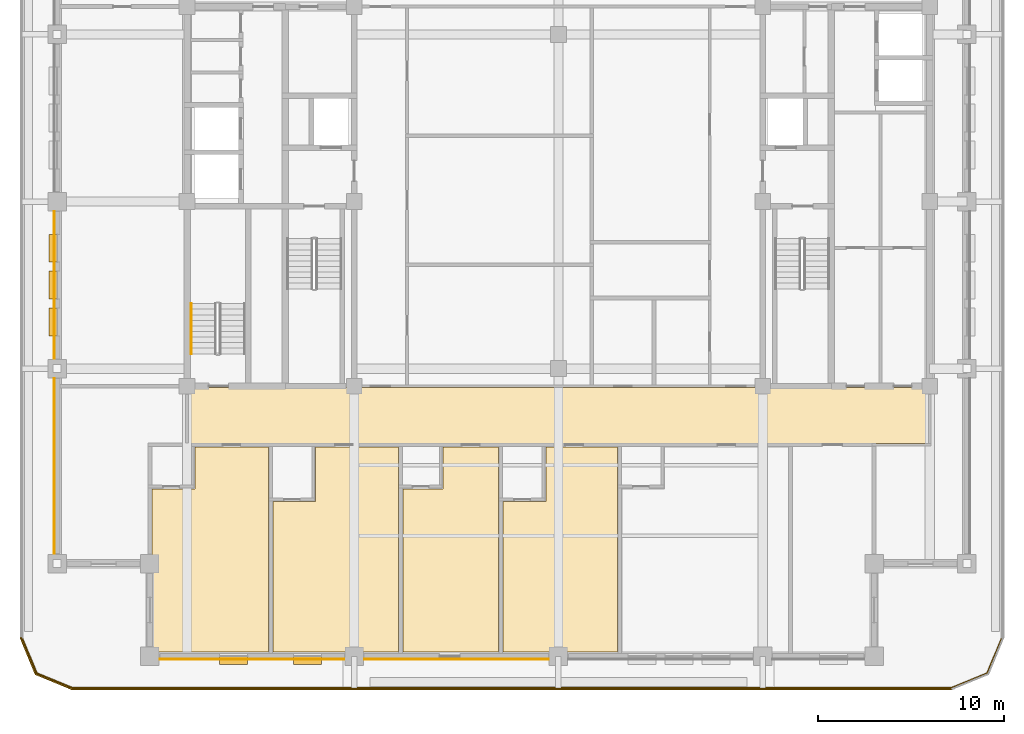
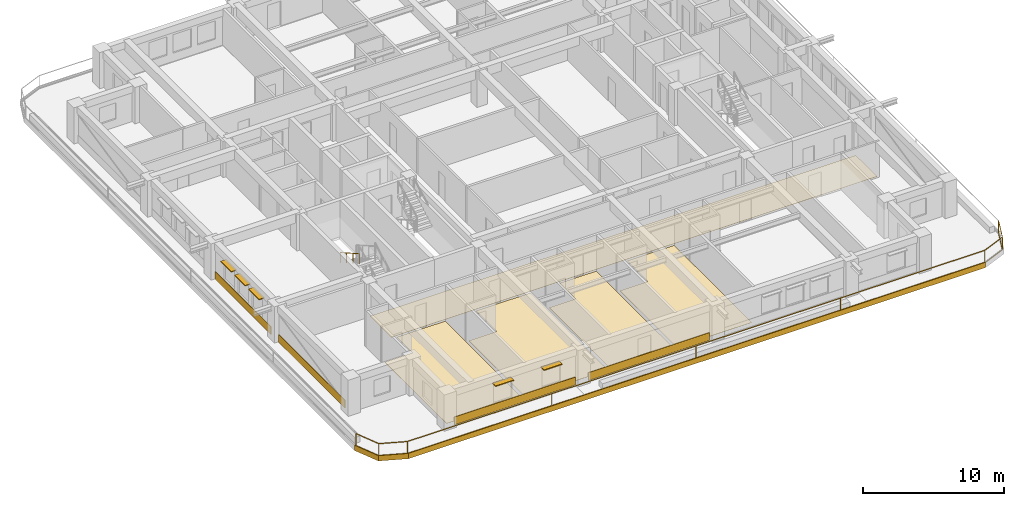
# One storey, part 9 of 15: 12 coverings, 5 shading devices, 2 railings.
"""IFC4 building model written with IfcOpenShell, lengths in metres."""

from ifc_helpers import new_model, si_unit, direction, frame, frame_2d, origin, origin_2d, place, context, subcontext, project, spatial, polyline, rectangle, outline, extrude, material, layer, layer_set, type_object, element, save


model = new_model("IFC4")

# Units and contexts
model_context = context("Model", 3, precision=1e-05, world=origin(), true_north=direction((0.0, 1.0)))
body_context = subcontext(model_context, "Body", "Model", "MODEL_VIEW")
ifc_project = project(units=[si_unit("LENGTHUNIT", "METRE"), si_unit("AREAUNIT", "SQUARE_METRE"), si_unit("VOLUMEUNIT", "CUBIC_METRE"), si_unit("PLANEANGLEUNIT", "RADIAN"), si_unit("MASSUNIT", "GRAM", prefix="KILO")], contexts=[model_context])

# Site, building, storey
site_placement = place(None, origin())
site = spatial("IfcSite", under=ifc_project, at=site_placement, CompositionType="ELEMENT")
building_placement = place(site_placement, origin())
building = spatial("IfcBuilding", under=site, at=building_placement, Name="Zulmaris Gate Convention Tower", CompositionType="ELEMENT")
storey_placement = place(building_placement, frame((0.0, 0.0, 201.659912109375)))
storey = spatial("IfcBuildingStorey", under=building, at=storey_placement, Name="L52", CompositionType="ELEMENT", Elevation=201.659912109375)

# Coverings
ifc_material_1 = material(Name="Precast concrete C40/50", Category="concrete")
ifc_layer_1 = layer(ifc_material_1, 0.0400390625, Name="Precast concrete C40/50")
ifc_layer_set_1 = layer_set([ifc_layer_1], Name="Precast concrete C40/50")
covering_type_1 = type_object("IfcCoveringType", Name="CLAD-SPANDREL-PRECAST", PredefinedType="CLADDING", material=ifc_layer_set_1)
for number, where, z_axis, x_axis, name in (
    (1, (-21.469970703125, -24.64990234375, 0.0), (0.0, 0.0, 1.0), (1.0, 0.0, 0.0), "CLD-L52-S-0_0"),
    (2, (-10.469970703125, -24.64990234375, 0.0), (0.0, 0.0, 1.0), (1.0, 0.0, 0.0), "CLD-L52-S-1_0"),
):
    element("IfcCovering", number, at=place(storey_placement, frame(where, z_axis=z_axis, x_axis=x_axis)), inside=storey, type_object=covering_type_1, Name=name, PredefinedType="CLADDING", context=body_context, shape_type="SweptSolid", body=[
        extrude(rectangle(XDim=9.93994140625, YDim=0.0400390625, at=frame_2d((4.969970703125, 0.0))), origin(), (0.0, 0.0, 1.0), 0.679931640625),
    ])
covering_1_placement = place(storey_placement, frame((-27.14990234375, -9.530029296875, 0.0), z_axis=(0.0, 0.0, 1.0), x_axis=(0.0, -1.0, 0.0)))
element("IfcCovering", 3, at=covering_1_placement, inside=storey, type_object=covering_type_1, Name="CLD-L52-W-0_0", PredefinedType="CLADDING", context=body_context, shape_type="SweptSolid", body=[
    extrude(rectangle(XDim=9.43994140625, YDim=0.0400390625, at=frame_2d((4.719970703125, 0.0))), origin(), (0.0, 0.0, 1.0), 0.679931640625),
])
covering_2_placement = place(storey_placement, frame((-27.14990234375, -0.530029296875, 0.0), z_axis=(0.0, 0.0, 1.0), x_axis=(0.0, -1.0, 0.0)))
element("IfcCovering", 4, at=covering_2_placement, inside=storey, type_object=covering_type_1, Name="CLD-L52-W-1_0", PredefinedType="CLADDING", context=body_context, shape_type="SweptSolid", body=[
    extrude(rectangle(XDim=7.93994140625, YDim=0.0400390625, at=frame_2d((3.969970703125, 0.0))), origin(), (0.0, 0.0, 1.0), 0.679931640625),
])
ifc_material_2 = material(Name="White Glazed Architectural Precast Concrete C40/50", Category="concrete")
ifc_layer_2 = layer(ifc_material_2, 0.080078125, Name="White Glazed Architectural Precast Concrete C40/50")
ifc_layer_set_2 = layer_set([ifc_layer_2], Name="White Glazed Architectural Precast Concrete C40/50")
covering_type_2 = type_object("IfcCoveringType", Name="CLAD-TRAY-FASCIA", PredefinedType="CLADDING", material=ifc_layer_set_2)
covering_3_placement = place(storey_placement, frame((-28.962890625, -23.484619140625, -0.2900390625), z_axis=(0.0, 0.0, 1.0), x_axis=(0.382656984709, -0.923890487046, 0.0)))
element("IfcCovering", 5, at=covering_3_placement, inside=storey, type_object=covering_type_2, Name="FSC-L52-TR-00", PredefinedType="CLADDING", context=body_context, shape_type="SweptSolid", body=[
    extrude(rectangle(XDim=2.14306640625, YDim=0.080078125, at=frame_2d((1.071533203125, 0.0))), origin(), (0.0, 0.0, 1.0), 0.4599609375),
])
covering_4_placement = place(storey_placement, frame((-28.16455078125, -25.44287109375, -0.2900390625), z_axis=(0.0, 0.0, 1.0), x_axis=(0.923873803533, -0.382697263049, 0.0)))
element("IfcCovering", 6, at=covering_4_placement, inside=storey, type_object=covering_type_2, Name="FSC-L52-TR-01", PredefinedType="CLADDING", context=body_context, shape_type="SweptSolid", body=[
    extrude(rectangle(XDim=2.142822265625, YDim=0.080078125, at=frame_2d((1.0712890625, 0.0))), origin(), (0.0, 0.0, 1.0), 0.4599609375),
])
covering_5_placement = place(storey_placement, frame((-26.199951171875, -26.260009765625, -0.2900390625), z_axis=(0.0, 0.0, 1.0), x_axis=(1.0, 0.0, 0.0)))
element("IfcCovering", 7, at=covering_5_placement, inside=storey, type_object=covering_type_2, Name="FSC-L52-TR-02", PredefinedType="CLADDING", context=body_context, shape_type="SweptSolid", body=[
    extrude(rectangle(XDim=47.39990234375, YDim=0.080078125, at=frame_2d((23.699951171875, 0.0))), origin(), (0.0, 0.0, 1.0), 0.4599609375),
])
ifc_material_3 = material(Name="Woven Acoustic Wool Carpet Tile")
ifc_layer_3 = layer(ifc_material_3, 0.02001953125, Name="Woven Acoustic Wool Carpet Tile")
ifc_layer_set_3 = layer_set([ifc_layer_3], Name="Woven Acoustic Wool Carpet Tile")
covering_type_3 = type_object("IfcCoveringType", Name="FLR-CARPET-12", PredefinedType="FLOORING", material=ifc_layer_set_3)
covering_6_placement = place(storey_placement, origin())
element("IfcCovering", 8, at=covering_6_placement, inside=storey, type_object=covering_type_3, Name="FLR-L52-R32", PredefinedType="FLOORING", context=body_context, shape_type="SweptSolid", body=[
    extrude(outline(polyline([(-19.93994140625, -13.0400390625), (19.93994140625, -13.0400390625), (19.93994140625, -10.010009765625), (-19.93994140625, -10.010009765625), (-19.93994140625, -13.0400390625)])), origin(), (0.0, 0.0, 1.0), 0.02001953125),
])
ifc_material_4 = material(Name="Engineered Teak Parquet Flooring")
ifc_layer_4 = layer(ifc_material_4, 0.02001953125, Name="Engineered Teak Parquet Flooring")
ifc_layer_set_4 = layer_set([ifc_layer_4], Name="Engineered Teak Parquet Flooring")
covering_type_4 = type_object("IfcCoveringType", Name="FLR-TIMBER-18", PredefinedType="FLOORING", material=ifc_layer_set_4)
covering_7_placement = place(storey_placement, origin())
element("IfcCovering", 9, at=covering_7_placement, inside=storey, type_object=covering_type_4, Name="FLR-L52-R44", PredefinedType="FLOORING", context=body_context, shape_type="SweptSolid", body=[
    extrude(outline(polyline([(-21.8798828125, -24.260009765625), (-15.6201171875, -24.260009765625), (-15.6201171875, -13.219970703125), (-19.580078125, -13.219970703125), (-19.580078125, -15.469970703125), (-21.8798828125, -15.469970703125), (-21.8798828125, -24.260009765625)])), origin(), (0.0, 0.0, 1.0), 0.02001953125),
])
covering_8_placement = place(storey_placement, origin())
element("IfcCovering", 10, at=covering_8_placement, inside=storey, type_object=covering_type_4, Name="FLR-L52-R46", PredefinedType="FLOORING", context=body_context, shape_type="SweptSolid", body=[
    extrude(outline(polyline([(-15.3798828125, -24.260009765625), (-8.6201171875, -24.260009765625), (-8.6201171875, -13.219970703125), (-13.080078125, -13.219970703125), (-13.080078125, -16.169921875), (-15.3798828125, -16.169921875), (-15.3798828125, -24.260009765625)])), origin(), (0.0, 0.0, 1.0), 0.02001953125),
])
covering_9_placement = place(storey_placement, origin())
element("IfcCovering", 11, at=covering_9_placement, inside=storey, type_object=covering_type_4, Name="FLR-L52-R48", PredefinedType="FLOORING", context=body_context, shape_type="SweptSolid", body=[
    extrude(outline(polyline([(-8.3798828125, -24.260009765625), (-3.219970703125, -24.260009765625), (-3.219970703125, -13.219970703125), (-6.219970703125, -13.219970703125), (-6.219970703125, -15.469970703125), (-8.3798828125, -15.469970703125), (-8.3798828125, -24.260009765625)])), origin(), (0.0, 0.0, 1.0), 0.02001953125),
])
covering_10_placement = place(storey_placement, origin())
element("IfcCovering", 12, at=covering_10_placement, inside=storey, type_object=covering_type_4, Name="FLR-L52-R50", PredefinedType="FLOORING", context=body_context, shape_type="SweptSolid", body=[
    extrude(outline(polyline([(-2.97998046875, -24.260009765625), (3.179931640625, -24.260009765625), (3.179931640625, -13.219970703125), (-0.679931640625, -13.219970703125), (-0.679931640625, -16.169921875), (-2.97998046875, -16.169921875), (-2.97998046875, -24.260009765625)])), origin(), (0.0, 0.0, 1.0), 0.02001953125),
])

# Railings
ifc_material_5 = material(Name="Laminated Glass and Stainless Steel", Category="steel")
railing_type_1 = type_object("IfcRailingType", Name="RL-BALC-1150", PredefinedType="BALUSTRADE", material=ifc_material_5)
railing_1_placement = place(storey_placement, frame((-28.8798828125, -23.5, 0.010009765625)))
element("IfcRailing", 13, at=railing_1_placement, inside=storey, type_object=railing_type_1, Name="RL-L52-BALC-S", PredefinedType="BALUSTRADE", context=body_context, shape_type="SweptSolid", body=[
    extrude(rectangle(XDim=0.048095703125, YDim=0.048095703125, at=origin_2d()), frame((0.0, 0.0, 1.1259765625), z_axis=(0.382670664694, -0.92388482095, 0.0), x_axis=(0.92388482095, 0.382670664694, 0.0)), (0.0, 0.0, 1.0), 2.051025390625),
    extrude(rectangle(XDim=0.048095703125, YDim=0.048095703125, at=origin_2d()), frame((0.0, 0.0, 0.02392578125), z_axis=(0.382670664694, -0.92388482095, 0.0), x_axis=(0.92388482095, 0.382670664694, 0.0)), (0.0, 0.0, 1.0), 2.051025390625),
    extrude(rectangle(XDim=0.048095703125, YDim=0.048095703125, at=origin_2d()), frame((0.784912109375, -1.89501953125, 1.1259765625), z_axis=(0.92388482095, -0.382670664694, 0.0), x_axis=(0.382670664694, 0.92388482095, 0.0)), (0.0, 0.0, 1.0), 2.051025390625),
    extrude(rectangle(XDim=0.048095703125, YDim=0.048095703125, at=origin_2d()), frame((0.784912109375, -1.89501953125, 0.02392578125), z_axis=(0.92388482095, -0.382670664694, 0.0), x_axis=(0.382670664694, 0.92388482095, 0.0)), (0.0, 0.0, 1.0), 2.051025390625),
    extrude(rectangle(XDim=0.048095703125, YDim=0.048095703125, at=origin_2d()), frame((2.679931640625, -2.679931640625, 1.1259765625), z_axis=(1.0, 0.0, 0.0), x_axis=(0.0, 1.0, 0.0)), (0.0, 0.0, 1.0), 47.39990234375),
    extrude(rectangle(XDim=0.048095703125, YDim=0.048095703125, at=origin_2d()), frame((2.679931640625, -2.679931640625, 0.02392578125), z_axis=(1.0, 0.0, 0.0), x_axis=(0.0, 1.0, 0.0)), (0.0, 0.0, 1.0), 47.39990234375),
    extrude(rectangle(XDim=0.048095703125, YDim=0.048095703125, at=origin_2d()), frame((50.079833984375, -2.679931640625, 1.1259765625), z_axis=(0.92388482095, 0.382670664694, 0.0), x_axis=(-0.382670664694, 0.92388482095, 0.0)), (0.0, 0.0, 1.0), 2.051025390625),
    extrude(rectangle(XDim=0.048095703125, YDim=0.048095703125, at=origin_2d()), frame((50.079833984375, -2.679931640625, 0.02392578125), z_axis=(0.92388482095, 0.382670664694, 0.0), x_axis=(-0.382670664694, 0.92388482095, 0.0)), (0.0, 0.0, 1.0), 2.051025390625),
    extrude(rectangle(XDim=0.048095703125, YDim=0.048095703125, at=origin_2d()), frame((51.974853515625, -1.89501953125, 1.1259765625), z_axis=(0.382670664694, 0.92388482095, 0.0), x_axis=(-0.92388482095, 0.382670664694, 0.0)), (0.0, 0.0, 1.0), 2.051025390625),
    extrude(rectangle(XDim=0.048095703125, YDim=0.048095703125, at=origin_2d()), frame((51.974853515625, -1.89501953125, 0.02392578125), z_axis=(0.382670664694, 0.92388482095, 0.0), x_axis=(-0.92388482095, 0.382670664694, 0.0)), (0.0, 0.0, 1.0), 2.051025390625),
    extrude(rectangle(XDim=0.0419921875, YDim=0.0419921875, at=origin_2d()), origin(), (0.0, 0.0, 1.0), 1.101806640625),
    extrude(rectangle(XDim=0.0419921875, YDim=0.0419921875, at=origin_2d()), frame((0.784912109375, -1.89501953125, 0.0)), (0.0, 0.0, 1.0), 1.101806640625),
    extrude(rectangle(XDim=0.0419921875, YDim=0.0419921875, at=origin_2d()), frame((2.679931640625, -2.679931640625, 0.0)), (0.0, 0.0, 1.0), 1.101806640625),
    extrude(rectangle(XDim=0.0419921875, YDim=0.0419921875, at=origin_2d()), frame((14.52978515625, -2.679931640625, 0.0)), (0.0, 0.0, 1.0), 1.101806640625),
    extrude(rectangle(XDim=0.0419921875, YDim=0.0419921875, at=origin_2d()), frame((26.3798828125, -2.679931640625, 0.0)), (0.0, 0.0, 1.0), 1.101806640625),
    extrude(rectangle(XDim=0.0419921875, YDim=0.0419921875, at=origin_2d()), frame((38.22998046875, -2.679931640625, 0.0)), (0.0, 0.0, 1.0), 1.101806640625),
    extrude(rectangle(XDim=0.0419921875, YDim=0.0419921875, at=origin_2d()), frame((50.079833984375, -2.679931640625, 0.0)), (0.0, 0.0, 1.0), 1.101806640625),
    extrude(rectangle(XDim=0.0419921875, YDim=0.0419921875, at=origin_2d()), frame((51.974853515625, -1.89501953125, 0.0)), (0.0, 0.0, 1.0), 1.101806640625),
    extrude(rectangle(XDim=0.0419921875, YDim=0.0419921875, at=origin_2d()), frame((52.759765625, 0.0, 0.0)), (0.0, 0.0, 1.0), 1.101806640625),
])
ifc_material_6 = material(Name="Brushed Stainless Steel", Category="steel")
railing_type_2 = type_object("IfcRailingType", Name="RL-STH-900", PredefinedType="HANDRAIL", material=ifc_material_6)
railing_2_placement = place(storey_placement, frame((-19.77001953125, -5.5, 1.8701171875)))
element("IfcRailing", 14, at=railing_2_placement, inside=storey, type_object=railing_type_2, Name="L52 ST-3 stair handrail 2", PredefinedType="HANDRAIL", context=body_context, shape_type="SweptSolid", body=[
    extrude(rectangle(XDim=0.048095703125, YDim=0.048095703125, at=origin_2d()), frame((0.0, 0.0, 0.8759765625), z_axis=(0.0, -0.870014312096, 0.49302646658), x_axis=(1.0, 0.0, 0.0)), (0.0, 0.0, 1.0), 3.103271484375),
    extrude(rectangle(XDim=0.0419921875, YDim=0.0419921875, at=origin_2d()), origin(), (0.0, 0.0, 1.0), 0.851806640625),
    extrude(rectangle(XDim=0.0419921875, YDim=0.0419921875, at=origin_2d()), frame((0.0, -0.89990234375, 0.510009765625)), (0.0, 0.0, 1.0), 0.851806640625),
    extrude(rectangle(XDim=0.0419921875, YDim=0.0419921875, at=origin_2d()), frame((0.0, -1.800048828125, 1.02001953125)), (0.0, 0.0, 1.0), 0.851806640625),
    extrude(rectangle(XDim=0.0419921875, YDim=0.0419921875, at=origin_2d()), frame((0.0, -2.699951171875, 1.530029296875)), (0.0, 0.0, 1.0), 0.851806640625),
])

# Shading devices
ifc_material_7 = material(Name="Glazed Ceramic Terracotta", Category="masonry")
ifc_layer_5 = layer(ifc_material_7, 0.070068359375, Name="Glazed Ceramic Terracotta")
ifc_layer_set_5 = layer_set([ifc_layer_5], Name="Glazed Ceramic Terracotta")
shading_device_type = type_object("IfcShadingDeviceType", Name="SHD-SUNSHADE-TC", PredefinedType="AWNING", material=ifc_layer_set_5)
for number, where, z_axis, x_axis, name in (
    (15, (-18.243896484375, -24.719970703125, 2.35009765625), (0.0, 0.0, 1.0), (1.0, 0.0, 0.0), "SHD-EW-L52-S-0_0-2"),
    (16, (-14.26806640625, -24.719970703125, 2.35009765625), (0.0, 0.0, 1.0), (1.0, 0.0, 0.0), "SHD-EW-L52-S-0_0-4"),
    (17, (-27.219970703125, -1.764892578125, 2.35009765625), (0.0, 0.0, 1.0), (0.0, -1.0, 0.0), "SHD-EW-L52-W-1_0-1"),
    (18, (-27.219970703125, -3.75, 2.35009765625), (0.0, 0.0, 1.0), (0.0, -1.0, 0.0), "SHD-EW-L52-W-1_0-2"),
    (19, (-27.219970703125, -5.735107421875, 2.35009765625), (0.0, 0.0, 1.0), (0.0, -1.0, 0.0), "SHD-EW-L52-W-1_0-3"),
):
    element("IfcShadingDevice", number, at=place(storey_placement, frame(where, z_axis=z_axis, x_axis=x_axis)), inside=storey, type_object=shading_device_type, Name=name, PredefinedType="AWNING", context=body_context, shape_type="SweptSolid", body=[
        extrude(rectangle(XDim=1.5, YDim=0.43994140625, at=frame_2d((0.75, 0.0))), origin(), (0.0, 0.0, 1.0), 0.06982421875),
    ])

save(model, "model.ifc")
